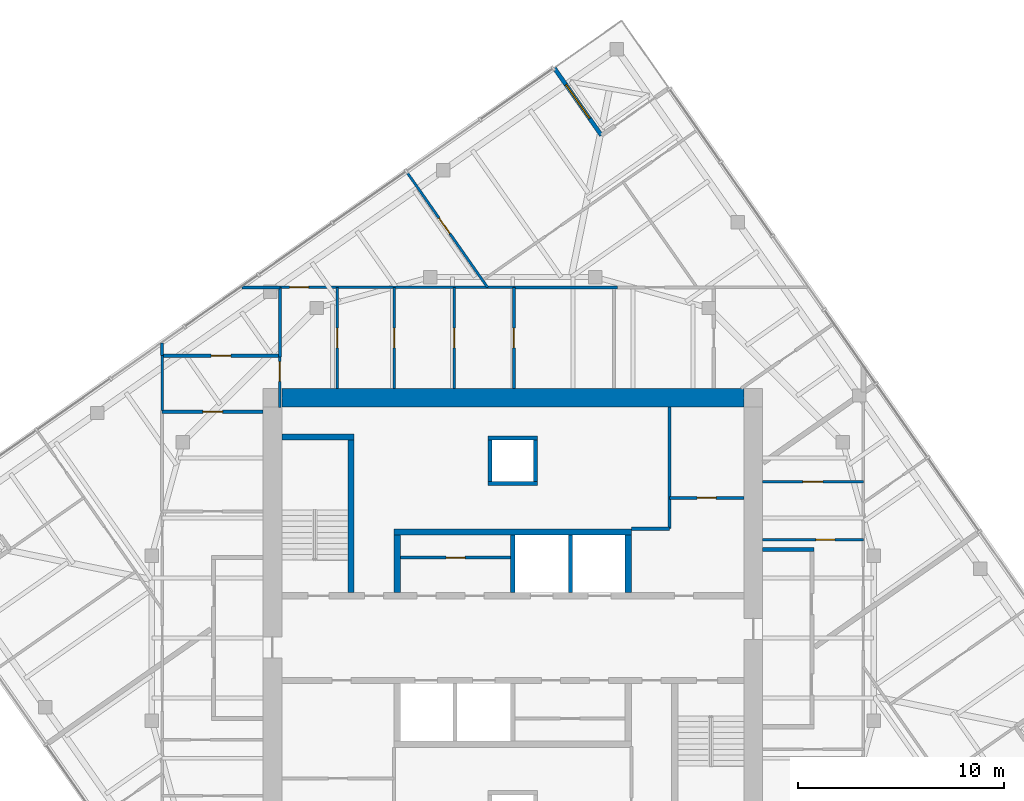
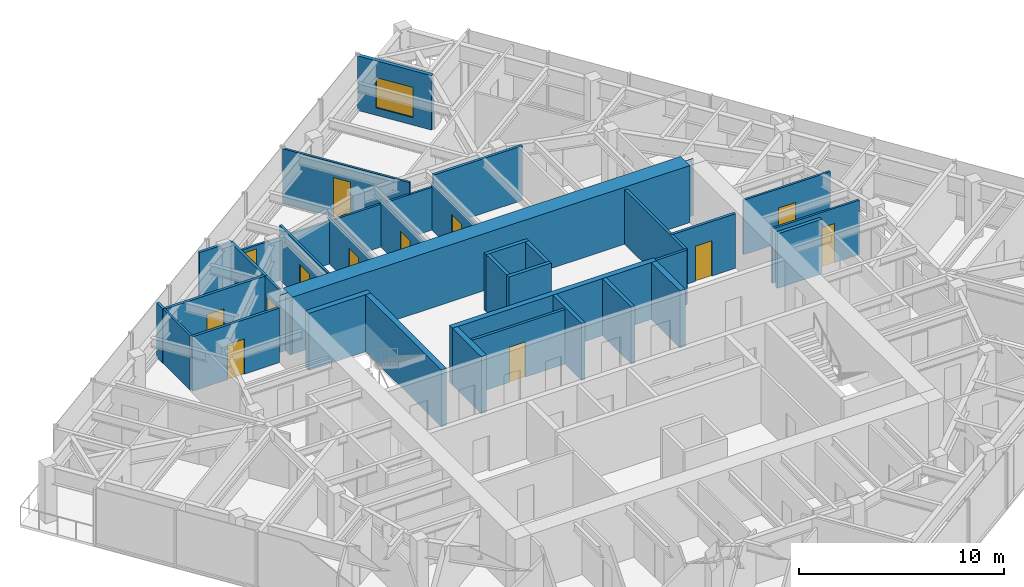
# One storey, part 10 of 12: 34 walls, 13 doors, 1 window, 14 openings.
"""IFC4 building model written with IfcOpenShell, lengths in metres."""

from ifc_helpers import new_model, si_unit, direction, frame, frame_2d, origin, place, context, subcontext, project, spatial, polyline, rectangle, outline, extrude, material, layer, layer_set, type_object, element, fill, save


model = new_model("IFC4")

# Units and contexts
model_context = context("Model", 3, precision=1e-05, world=origin(), true_north=direction((0.0, 1.0)))
body_context = subcontext(model_context, "Body", "Model", "MODEL_VIEW")
ifc_project = project(units=[si_unit("LENGTHUNIT", "METRE"), si_unit("AREAUNIT", "SQUARE_METRE"), si_unit("VOLUMEUNIT", "CUBIC_METRE"), si_unit("PLANEANGLEUNIT", "RADIAN"), si_unit("MASSUNIT", "GRAM", prefix="KILO")], contexts=[model_context])

# Site, building, storey
site_placement = place(None, origin())
site = spatial("IfcSite", under=ifc_project, at=site_placement, CompositionType="ELEMENT")
building_placement = place(site_placement, origin())
building = spatial("IfcBuilding", under=site, at=building_placement, Name="Torsade Residences", CompositionType="ELEMENT")
storey_placement = place(building_placement, frame((0.0, 0.0, 240.39990234375)))
storey = spatial("IfcBuildingStorey", under=building, at=storey_placement, Name="L66", CompositionType="ELEMENT", Elevation=240.39990234375)

# Walls
ifc_material_1 = material(Name="Concrete 80 MPa", Category="concrete")
ifc_layer_1 = layer(ifc_material_1, 0.300048828125)
ifc_layer_set_1 = layer_set([ifc_layer_1], Name="Concrete 80 MPa")
wall_type_1 = type_object("IfcWallType", Name="CORE INTERNAL WALL 300", PredefinedType="SHEAR", material=ifc_layer_set_1)
wall_1_placement = place(storey_placement, frame((34.25, 35.14990234375, 0.0), z_axis=(0.0, 0.0, 1.0), x_axis=(1.0, 0.0, 0.0)))
element("IfcWall", 1, at=wall_1_placement, inside=storey, type_object=wall_type_1, Name="Core wall BN L66", PredefinedType="SHEAR", context=body_context, shape_type="SweptSolid", body=[
    extrude(rectangle(XDim=11.5, YDim=0.300048828125, at=frame_2d((5.75, 0.0))), origin(), (0.0, 0.0, 1.0), 3.400146484375),
])
for number, where, z_axis, x_axis, name in (
    (2, (34.39990234375, 32.199951171875, 0.0), (0.0, 0.0, 1.0), (0.0, 1.0, 0.0), "Core wall DN0 L66"),
    (3, (45.60009765625, 32.199951171875, 0.0), (0.0, 0.0, 1.0), (0.0, 1.0, 0.0), "Core wall DN4 L66"),
):
    element("IfcWall", number, at=place(storey_placement, frame(where, z_axis=z_axis, x_axis=x_axis)), inside=storey, type_object=wall_type_1, Name=name, PredefinedType="SHEAR", context=body_context, shape_type="SweptSolid", body=[
        extrude(rectangle(XDim=2.800048828125, YDim=0.300048828125, at=frame_2d((1.39990234375, 0.0))), origin(), (0.0, 0.0, 1.0), 3.400146484375),
    ])
wall_2_placement = place(storey_placement, frame((32.14990234375, 32.199951171875, 0.0), z_axis=(0.0, 0.0, 1.0), x_axis=(0.0, 1.0, 0.0)))
element("IfcWall", 4, at=wall_2_placement, inside=storey, type_object=wall_type_1, Name="Core wall ST1E L66", PredefinedType="SHEAR", context=body_context, shape_type="SweptSolid", body=[
    extrude(rectangle(XDim=7.699951171875, YDim=0.300048828125, at=frame_2d((3.85009765625, 0.0))), origin(), (0.0, 0.0, 1.0), 3.400146484375),
])
wall_3_placement = place(storey_placement, frame((28.800048828125, 39.75, 0.0), z_axis=(0.0, 0.0, 1.0), x_axis=(1.0, 0.0, 0.0)))
element("IfcWall", 5, at=wall_3_placement, inside=storey, type_object=wall_type_1, Name="Core wall ST1N L66", PredefinedType="SHEAR", context=body_context, shape_type="SweptSolid", body=[
    extrude(rectangle(XDim=3.5, YDim=0.300048828125, at=frame_2d((1.75, 0.0))), origin(), (0.0, 0.0, 1.0), 3.400146484375),
])
ifc_material_2 = material(Name="Concrete 80 MPa", Category="concrete")
ifc_layer_2 = layer(ifc_material_2, 0.89990234375)
ifc_layer_set_2 = layer_set([ifc_layer_2], Name="Concrete 80 MPa")
wall_type_2 = type_object("IfcWallType", Name="CORE WALL 900", PredefinedType="SHEAR", material=ifc_layer_set_2)
wall_4_placement = place(storey_placement, frame((28.800048828125, 41.64990234375, 0.0), z_axis=(0.0, 0.0, 1.0), x_axis=(1.0, 0.0, 0.0)))
element("IfcWall", 6, at=wall_4_placement, inside=storey, type_object=wall_type_2, Name="Core wall N L66", PredefinedType="SHEAR", context=body_context, shape_type="SweptSolid", body=[
    extrude(outline(polyline([(0.0, -0.449951171875), (22.39990234375, -0.449951171875), (22.39990234375, -0.02490234375), (22.849853515625, -0.02490234375), (22.849853515625, 0.02490234375), (22.39990234375, 0.02490234375), (22.39990234375, 0.449951171875), (0.0, 0.449951171875), (0.0, 0.02490234375), (-0.449951171875, 0.02490234375), (-0.449951171875, -0.02490234375), (0.0, -0.02490234375), (0.0, -0.449951171875)])), origin(), (0.0, 0.0, 1.0), 3.400146484375),
])
ifc_material_3 = material(Name="Plasterboard on steel stud", Category="steel")
ifc_layer_3 = layer(ifc_material_3, 0.199951171875)
ifc_layer_set_3 = layer_set([ifc_layer_3], Name="Plasterboard on steel stud")
wall_type_3 = type_object("IfcWallType", Name="CORRIDOR WALL 200", PredefinedType="PARTITIONING", material=ifc_layer_set_3)
wall_5_placement = place(storey_placement, frame((52.10009765625, 34.300048828125, 0.0), z_axis=(0.0, 0.0, 1.0), x_axis=(1.0, 0.0, 0.0)))
element("IfcWall", 7, at=wall_5_placement, inside=storey, type_object=wall_type_3, Name="Corridor wall L66", PredefinedType="PARTITIONING", context=body_context, shape_type="SweptSolid", body=[
    extrude(rectangle(XDim=2.5, YDim=0.199951171875, at=frame_2d((1.25, 0.0))), origin(), (0.0, 0.0, 1.0), 3.25),
])
ifc_material_4 = material(Name="Reinforced blockwork", Category="masonry")
ifc_layer_4 = layer(ifc_material_4, 0.199951171875)
ifc_layer_set_4 = layer_set([ifc_layer_4], Name="Reinforced blockwork")
wall_type_4 = type_object("IfcWallType", Name="LIFT SHAFT DIVIDING WALL 200", PredefinedType="SOLIDWALL", material=ifc_layer_set_4)
for number, where, z_axis, x_axis, name in (
    (8, (40.0, 32.199951171875, 0.0), (0.0, 0.0, 1.0), (0.0, 1.0, 0.0), "Core wall DN2 L66"),
    (9, (42.800048828125, 32.199951171875, 0.0), (0.0, 0.0, 1.0), (0.0, 1.0, 0.0), "Core wall DN3 L66"),
):
    element("IfcWall", number, at=place(storey_placement, frame(where, z_axis=z_axis, x_axis=x_axis)), inside=storey, type_object=wall_type_4, Name=name, PredefinedType="SOLIDWALL", context=body_context, shape_type="SweptSolid", body=[
        extrude(rectangle(XDim=2.800048828125, YDim=0.199951171875, at=frame_2d((1.39990234375, 0.0))), origin(), (0.0, 0.0, 1.0), 3.400146484375),
    ])

# Wall, opening, door
ifc_material_5 = material(Name="Plasterboard on steel stud", Category="steel")
ifc_layer_5 = layer(ifc_material_5, 0.1201171875)
ifc_layer_set_5 = layer_set([ifc_layer_5], Name="Plasterboard on steel stud")
wall_type_5 = type_object("IfcWallType", Name="PARTITION 120", PredefinedType="PARTITIONING", material=ifc_layer_set_5)
wall_6_placement = place(storey_placement, frame((52.10009765625, 34.76611328125, 0.0), z_axis=(0.0, 0.0, 1.0), x_axis=(1.0, 0.0, 0.0)))
wall_6 = element("IfcWall", 10, at=wall_6_placement, inside=storey, type_object=wall_type_5, Name="Partition L66", PredefinedType="PARTITIONING", context=body_context, shape_type="SweptSolid", body=[
    extrude(rectangle(XDim=4.89990234375, YDim=0.1201171875, at=frame_2d((2.449951171875, 0.0))), origin(), (0.0, 0.0, 1.0), 3.25),
])
opening_1_placement = place(wall_6_placement, frame((2.590087890625, 0.0, 0.0)))
opening_1 = element("IfcOpeningElement", 11, at=opening_1_placement, cuts=wall_6, Name="Opening D02", PredefinedType="OPENING", context=body_context, shape_type="SweptSolid", body=[
    extrude(rectangle(XDim=0.919921875, YDim=2.340087890625, at=frame_2d((0.4599609375, 1.169921875))), frame((0.0, 0.070068359375, 0.0), z_axis=(0.0, -1.0, 0.0), x_axis=(1.0, 0.0, 0.0)), (0.0, 0.0, 1.0), 0.14013671875),
])
ifc_material_6 = material(Name="Hollow-core timber door", Category="wood")
door_type_1 = type_object("IfcDoorType", Name="INTERNAL DOOR 920x2340", OperationType="NOTDEFINED", PredefinedType="DOOR", material=ifc_material_6)
door_1_placement = place(opening_1_placement, origin())
door_1 = element("IfcDoor", 12, at=door_1_placement, inside=storey, type_object=door_type_1, Name="Door Kitchen and dining to Dressing room", OperationType="SINGLE_SWING_RIGHT", OverallHeight=2.340087890625, OverallWidth=0.919921875, PredefinedType="DOOR", context=body_context, shape_type="SweptSolid", body=[
    extrude(rectangle(XDim=0.919921875, YDim=2.340087890625, at=frame_2d((0.4599609375, 1.169921875))), frame((0.0, 0.02490234375, 0.0), z_axis=(0.0, -1.0, 0.0), x_axis=(1.0, 0.0, 0.0)), (0.0, 0.0, 1.0), 0.050048828125),
])
fill(opening_1, door_1)

wall_7_placement = place(storey_placement, frame((57.0, 37.567626953125, 0.0), z_axis=(0.0, 0.0, 1.0), x_axis=(-1.0, 0.0, 0.0)))
wall_7 = element("IfcWall", 13, at=wall_7_placement, inside=storey, type_object=wall_type_5, Name="Partition L66", PredefinedType="PARTITIONING", context=body_context, shape_type="SweptSolid", body=[
    extrude(rectangle(XDim=4.89990234375, YDim=0.1201171875, at=frame_2d((2.449951171875, 0.0))), origin(), (0.0, 0.0, 1.0), 3.25),
])
opening_2_placement = place(wall_7_placement, frame((1.969970703125, 0.0, 0.0)))
opening_2 = element("IfcOpeningElement", 14, at=opening_2_placement, cuts=wall_7, Name="Opening D05", PredefinedType="OPENING", context=body_context, shape_type="SweptSolid", body=[
    extrude(rectangle(XDim=0.9599609375, YDim=2.10009765625, at=frame_2d((0.47998046875, 1.050048828125))), frame((0.0, 0.070068359375, 0.0), z_axis=(0.0, -1.0, 0.0), x_axis=(1.0, 0.0, 0.0)), (0.0, 0.0, 1.0), 0.14013671875),
])
ifc_material_7 = material(Name="Hollow-core timber door in a steel cavity frame", Category="steel")
door_type_2 = type_object("IfcDoorType", Name="BATHROOM CAVITY SLIDING DOOR 960", OperationType="SLIDING_TO_LEFT", PredefinedType="DOOR", material=ifc_material_7)
door_2_placement = place(opening_2_placement, origin())
door_2 = element("IfcDoor", 15, at=door_2_placement, inside=storey, type_object=door_type_2, Name="Door Dressing room to Bathroom", OperationType="SLIDING_TO_LEFT", OverallHeight=2.10009765625, OverallWidth=0.9599609375, PredefinedType="DOOR", context=body_context, shape_type="SweptSolid", body=[
    extrude(rectangle(XDim=0.9599609375, YDim=2.10009765625, at=frame_2d((0.47998046875, 1.050048828125))), frame((0.0, 0.02490234375, 0.0), z_axis=(0.0, -1.0, 0.0), x_axis=(1.0, 0.0, 0.0)), (0.0, 0.0, 1.0), 0.050048828125),
])
fill(opening_2, door_2)

wall_8_placement = place(storey_placement, frame((31.482177734375, 42.10009765625, 0.0), z_axis=(0.0, 0.0, 1.0), x_axis=(0.0, 1.0, 0.0)))
wall_8 = element("IfcWall", 16, at=wall_8_placement, inside=storey, type_object=wall_type_5, Name="Partition L66", PredefinedType="PARTITIONING", context=body_context, shape_type="SweptSolid", body=[
    extrude(rectangle(XDim=4.89990234375, YDim=0.1201171875, at=frame_2d((2.449951171875, 0.0))), origin(), (0.0, 0.0, 1.0), 3.25),
])
opening_3_placement = place(wall_8_placement, frame((1.969970703125, 0.0, 0.0)))
opening_3 = element("IfcOpeningElement", 17, at=opening_3_placement, cuts=wall_8, Name="Opening D05", PredefinedType="OPENING", context=body_context, shape_type="SweptSolid", body=[
    extrude(rectangle(XDim=0.9599609375, YDim=2.10009765625, at=frame_2d((0.47998046875, 1.050048828125))), frame((0.0, 0.070068359375, 0.0), z_axis=(0.0, -1.0, 0.0), x_axis=(1.0, 0.0, 0.0)), (0.0, 0.0, 1.0), 0.14013671875),
])
door_3_placement = place(opening_3_placement, origin())
door_3 = element("IfcDoor", 18, at=door_3_placement, inside=storey, type_object=door_type_2, Name="Door Dressing room to Bathroom", OperationType="SLIDING_TO_LEFT", OverallHeight=2.10009765625, OverallWidth=0.9599609375, PredefinedType="DOOR", context=body_context, shape_type="SweptSolid", body=[
    extrude(rectangle(XDim=0.9599609375, YDim=2.10009765625, at=frame_2d((0.47998046875, 1.050048828125))), frame((0.0, 0.02490234375, 0.0), z_axis=(0.0, -1.0, 0.0), x_axis=(1.0, 0.0, 0.0)), (0.0, 0.0, 1.0), 0.050048828125),
])
fill(opening_3, door_3)

wall_9_placement = place(storey_placement, frame((34.256103515625, 47.0, 0.0), z_axis=(0.0, 0.0, 1.0), x_axis=(0.0, -1.0, 0.0)))
wall_9 = element("IfcWall", 19, at=wall_9_placement, inside=storey, type_object=wall_type_5, Name="Partition L66", PredefinedType="PARTITIONING", context=body_context, shape_type="SweptSolid", body=[
    extrude(rectangle(XDim=4.89990234375, YDim=0.1201171875, at=frame_2d((2.449951171875, 0.0))), origin(), (0.0, 0.0, 1.0), 2.796142578125),
])
opening_4_placement = place(wall_9_placement, frame((1.969970703125, 0.0, 0.0)))
opening_4 = element("IfcOpeningElement", 20, at=opening_4_placement, cuts=wall_9, Name="Opening D05", PredefinedType="OPENING", context=body_context, shape_type="SweptSolid", body=[
    extrude(rectangle(XDim=0.9599609375, YDim=2.10009765625, at=frame_2d((0.47998046875, 1.050048828125))), frame((0.0, 0.070068359375, 0.0), z_axis=(0.0, -1.0, 0.0), x_axis=(1.0, 0.0, 0.0)), (0.0, 0.0, 1.0), 0.14013671875),
])
door_4_placement = place(opening_4_placement, origin())
door_4 = element("IfcDoor", 21, at=door_4_placement, inside=storey, type_object=door_type_2, Name="Door Bathroom to Dressing room 2", OperationType="SLIDING_TO_LEFT", OverallHeight=2.10009765625, OverallWidth=0.9599609375, PredefinedType="DOOR", context=body_context, shape_type="SweptSolid", body=[
    extrude(rectangle(XDim=0.9599609375, YDim=2.10009765625, at=frame_2d((0.47998046875, 1.050048828125))), frame((0.0, 0.02490234375, 0.0), z_axis=(0.0, -1.0, 0.0), x_axis=(1.0, 0.0, 0.0)), (0.0, 0.0, 1.0), 0.050048828125),
])
fill(opening_4, door_4)

wall_10_placement = place(storey_placement, frame((28.708251953125, 47.0, 0.0), z_axis=(0.0, 0.0, 1.0), x_axis=(1.0, 0.0, 0.0)))
wall_10 = element("IfcWall", 22, at=wall_10_placement, inside=storey, type_object=wall_type_5, Name="Partition L66", PredefinedType="PARTITIONING", context=body_context, shape_type="SweptSolid", body=[
    extrude(rectangle(XDim=11.345947265625, YDim=0.1201171875, at=frame_2d((5.6728515625, 0.0))), origin(), (0.0, 0.0, 1.0), 2.550048828125),
])
opening_5_placement = place(wall_10_placement, frame((0.47705078125, 0.0, 0.0)))
opening_5 = element("IfcOpeningElement", 23, at=opening_5_placement, cuts=wall_10, Name="Opening D02", PredefinedType="OPENING", context=body_context, shape_type="SweptSolid", body=[
    extrude(rectangle(XDim=0.919921875, YDim=2.340087890625, at=frame_2d((0.4599609375, 1.169921875))), frame((0.0, 0.070068359375, 0.0), z_axis=(0.0, -1.0, 0.0), x_axis=(1.0, 0.0, 0.0)), (0.0, 0.0, 1.0), 0.14013671875),
])
door_5_placement = place(opening_5_placement, origin())
door_5 = element("IfcDoor", 24, at=door_5_placement, inside=storey, type_object=door_type_1, Name="Door Dressing room to Study 2", OperationType="SINGLE_SWING_LEFT", OverallHeight=2.340087890625, OverallWidth=0.919921875, PredefinedType="DOOR", context=body_context, shape_type="SweptSolid", body=[
    extrude(rectangle(XDim=0.919921875, YDim=2.340087890625, at=frame_2d((0.4599609375, 1.169921875))), frame((0.0, 0.02490234375, 0.0), z_axis=(0.0, -1.0, 0.0), x_axis=(1.0, 0.0, 0.0)), (0.0, 0.0, 1.0), 0.050048828125),
])
fill(opening_5, door_5)

wall_11_placement = place(storey_placement, frame((28.708251953125, 41.179931640625, 0.0), z_axis=(0.0, 0.0, 1.0), x_axis=(0.0, 1.0, 0.0)))
wall_11 = element("IfcWall", 25, at=wall_11_placement, inside=storey, type_object=wall_type_5, Name="Partition L66", PredefinedType="PARTITIONING", context=body_context, shape_type="SweptSolid", body=[
    extrude(rectangle(XDim=2.45849609375, YDim=0.1201171875, at=frame_2d((1.229248046875, 0.0))), origin(), (0.0, 0.0, 1.0), 3.25),
])
opening_6_placement = place(wall_11_placement, frame((1.25927734375, 0.0, 0.0)))
opening_6 = element("IfcOpeningElement", 26, at=opening_6_placement, cuts=wall_11, Name="Opening D05", PredefinedType="OPENING", context=body_context, shape_type="SweptSolid", body=[
    extrude(rectangle(XDim=0.9599609375, YDim=2.10009765625, at=frame_2d((0.47998046875, 1.050048828125))), frame((0.0, 0.070068359375, 0.0), z_axis=(0.0, -1.0, 0.0), x_axis=(1.0, 0.0, 0.0)), (0.0, 0.0, 1.0), 0.14013671875),
])
door_6_placement = place(opening_6_placement, origin())
door_6 = element("IfcDoor", 27, at=door_6_placement, inside=storey, type_object=door_type_2, Name="Door WC to Dressing room", OperationType="SLIDING_TO_LEFT", OverallHeight=2.10009765625, OverallWidth=0.9599609375, PredefinedType="DOOR", context=body_context, shape_type="SweptSolid", body=[
    extrude(rectangle(XDim=0.9599609375, YDim=2.10009765625, at=frame_2d((0.47998046875, 1.050048828125))), frame((0.0, 0.02490234375, 0.0), z_axis=(0.0, -1.0, 0.0), x_axis=(1.0, 0.0, 0.0)), (0.0, 0.0, 1.0), 0.050048828125),
])
fill(opening_6, door_6)

# Wall
wall_12_placement = place(storey_placement, frame((23.0, 41.02392578125, 0.0), z_axis=(0.0, 0.0, 1.0), x_axis=(0.0, 1.0, 0.0)))
element("IfcWall", 28, at=wall_12_placement, inside=storey, type_object=wall_type_5, Name="Partition L66", PredefinedType="PARTITIONING", context=body_context, shape_type="SweptSolid", body=[
    extrude(rectangle(XDim=2.66455078125, YDim=0.1201171875, at=frame_2d((1.332275390625, 0.0))), origin(), (0.0, 0.0, 1.0), 3.25),
])

# Wall, opening, door
wall_13_placement = place(storey_placement, frame((37.155029296875, 42.10009765625, 0.0), z_axis=(0.0, 0.0, 1.0), x_axis=(0.0, 1.0, 0.0)))
wall_13 = element("IfcWall", 29, at=wall_13_placement, inside=storey, type_object=wall_type_5, Name="Partition L66", PredefinedType="PARTITIONING", context=body_context, shape_type="SweptSolid", body=[
    extrude(rectangle(XDim=4.89990234375, YDim=0.1201171875, at=frame_2d((2.449951171875, 0.0))), origin(), (0.0, 0.0, 1.0), 2.796142578125),
])
opening_7_placement = place(wall_13_placement, frame((1.969970703125, 0.0, 0.0)))
opening_7 = element("IfcOpeningElement", 30, at=opening_7_placement, cuts=wall_13, Name="Opening D05", PredefinedType="OPENING", context=body_context, shape_type="SweptSolid", body=[
    extrude(rectangle(XDim=0.9599609375, YDim=2.10009765625, at=frame_2d((0.47998046875, 1.050048828125))), frame((0.0, 0.070068359375, 0.0), z_axis=(0.0, -1.0, 0.0), x_axis=(1.0, 0.0, 0.0)), (0.0, 0.0, 1.0), 0.14013671875),
])
door_7_placement = place(opening_7_placement, origin())
door_7 = element("IfcDoor", 31, at=door_7_placement, inside=storey, type_object=door_type_2, Name="Door Dressing room 2 to Ensuite", OperationType="SLIDING_TO_LEFT", OverallHeight=2.10009765625, OverallWidth=0.9599609375, PredefinedType="DOOR", context=body_context, shape_type="SweptSolid", body=[
    extrude(rectangle(XDim=0.9599609375, YDim=2.10009765625, at=frame_2d((0.47998046875, 1.050048828125))), frame((0.0, 0.02490234375, 0.0), z_axis=(0.0, -1.0, 0.0), x_axis=(1.0, 0.0, 0.0)), (0.0, 0.0, 1.0), 0.050048828125),
])
fill(opening_7, door_7)

wall_14_placement = place(storey_placement, frame((38.7783203125, 47.0, 0.0), z_axis=(0.0, 0.0, 1.0), x_axis=(-0.57357503053, 0.819153028653, 0.0)))
wall_14 = element("IfcWall", 32, at=wall_14_placement, inside=storey, type_object=wall_type_5, Name="Partition L66", PredefinedType="PARTITIONING", context=body_context, shape_type="SweptSolid", body=[
    extrude(rectangle(XDim=6.833740234375, YDim=0.1201171875, at=frame_2d((3.4169921875, 0.0))), origin(), (0.0, 0.0, 1.0), 3.25),
])
opening_8_placement = place(wall_14_placement, frame((3.186279296875, 0.0, 0.0)))
opening_8 = element("IfcOpeningElement", 33, at=opening_8_placement, cuts=wall_14, Name="Opening D02", PredefinedType="OPENING", context=body_context, shape_type="SweptSolid", body=[
    extrude(rectangle(XDim=0.919921875, YDim=2.340087890625, at=frame_2d((0.4599609375, 1.169921875))), frame((0.0, 0.070068359375, 0.0), z_axis=(0.0, -1.0, 0.0), x_axis=(1.0, 0.0, 0.0)), (0.0, 0.0, 1.0), 0.14013671875),
])
door_8_placement = place(opening_8_placement, origin())
door_8 = element("IfcDoor", 34, at=door_8_placement, inside=storey, type_object=door_type_1, Name="Door Study 2 to Living room", OperationType="SINGLE_SWING_LEFT", OverallHeight=2.340087890625, OverallWidth=0.919921875, PredefinedType="DOOR", context=body_context, shape_type="SweptSolid", body=[
    extrude(rectangle(XDim=0.919921875, YDim=2.340087890625, at=frame_2d((0.4599609375, 1.169921875))), frame((0.0, 0.02490234375, 0.0), z_axis=(0.0, -1.0, 0.0), x_axis=(1.0, 0.0, 0.0)), (0.0, 0.0, 1.0), 0.050048828125),
])
fill(opening_8, door_8)

# Walls
ifc_material_8 = material(Name="Reinforced blockwork", Category="masonry")
ifc_layer_6 = layer(ifc_material_8, 0.199951171875)
ifc_layer_set_6 = layer_set([ifc_layer_6], Name="Reinforced blockwork")
wall_type_6 = type_object("IfcWallType", Name="RISER SHAFT WALL 200", PredefinedType="SOLIDWALL", material=ifc_layer_set_6)
for number, where, z_axis, x_axis, name in (
    (35, (38.89990234375, 37.60009765625, 0.0), (0.0, 0.0, 1.0), (0.0, 1.0, 0.0), "Core wall RS1a L66"),
    (36, (41.10009765625, 37.60009765625, 0.0), (0.0, 0.0, 1.0), (0.0, 1.0, 0.0), "Core wall RS1b L66"),
):
    element("IfcWall", number, at=place(storey_placement, frame(where, z_axis=z_axis, x_axis=x_axis)), inside=storey, type_object=wall_type_6, Name=name, PredefinedType="SOLIDWALL", context=body_context, shape_type="SweptSolid", body=[
        extrude(rectangle(XDim=2.0, YDim=0.199951171875, at=frame_2d((1.0, 0.0))), origin(), (0.0, 0.0, 1.0), 3.400146484375),
    ])
for number, where, z_axis, x_axis, name in (
    (37, (38.800048828125, 37.5, 0.0), (0.0, 0.0, 1.0), (1.0, 0.0, 0.0), "Core wall RS1c L66"),
    (38, (38.800048828125, 39.699951171875, 0.0), (0.0, 0.0, 1.0), (1.0, 0.0, 0.0), "Core wall RS1d L66"),
):
    element("IfcWall", number, at=place(storey_placement, frame(where, z_axis=z_axis, x_axis=x_axis)), inside=storey, type_object=wall_type_6, Name=name, PredefinedType="SOLIDWALL", context=body_context, shape_type="SweptSolid", body=[
        extrude(rectangle(XDim=2.39990234375, YDim=0.199951171875, at=frame_2d((1.199951171875, 0.0))), origin(), (0.0, 0.0, 1.0), 3.400146484375),
    ])
ifc_material_9 = material(Name="Reinforced blockwork", Category="masonry")
ifc_layer_7 = layer(ifc_material_9, 0.14990234375)
ifc_layer_set_7 = layer_set([ifc_layer_7], Name="Reinforced blockwork")
wall_type_7 = type_object("IfcWallType", Name="SERVICE ROOM WALL 150", PredefinedType="SOLIDWALL", material=ifc_layer_set_7)
wall_15_placement = place(storey_placement, frame((47.60009765625, 41.199951171875, 0.0), z_axis=(0.0, 0.0, 1.0), x_axis=(0.0, -1.0, 0.0)))
element("IfcWall", 39, at=wall_15_placement, inside=storey, type_object=wall_type_7, Name="Service room wall L66", PredefinedType="SOLIDWALL", context=body_context, shape_type="SweptSolid", body=[
    extrude(rectangle(XDim=5.89990234375, YDim=0.14990234375, at=frame_2d((2.949951171875, 0.0))), origin(), (0.0, 0.0, 1.0), 3.25),
])
wall_16_placement = place(storey_placement, frame((47.60009765625, 35.300048828125, 0.0), z_axis=(0.0, 0.0, 1.0), x_axis=(-1.0, 0.0, 0.0)))
element("IfcWall", 40, at=wall_16_placement, inside=storey, type_object=wall_type_7, Name="Service room wall L66", PredefinedType="SOLIDWALL", context=body_context, shape_type="SweptSolid", body=[
    extrude(rectangle(XDim=1.85009765625, YDim=0.14990234375, at=frame_2d((0.925048828125, 0.0))), origin(), (0.0, 0.0, 1.0), 3.25),
])

# Wall, opening, door
wall_17_placement = place(storey_placement, frame((47.60009765625, 36.800048828125, 0.0), z_axis=(0.0, 0.0, 1.0), x_axis=(1.0, 0.0, 0.0)))
wall_17 = element("IfcWall", 41, at=wall_17_placement, inside=storey, type_object=wall_type_7, Name="Service room wall L66", PredefinedType="SOLIDWALL", context=body_context, shape_type="SweptSolid", body=[
    extrude(rectangle(XDim=3.599853515625, YDim=0.14990234375, at=frame_2d((1.7998046875, 0.0))), origin(), (0.0, 0.0, 1.0), 3.25),
])
opening_9_placement = place(wall_17_placement, frame((1.340087890625, 0.0, 0.0)))
opening_9 = element("IfcOpeningElement", 42, at=opening_9_placement, cuts=wall_17, Name="Opening D06", PredefinedType="OPENING", context=body_context, shape_type="SweptSolid", body=[
    extrude(rectangle(XDim=0.919921875, YDim=2.10009765625, at=frame_2d((0.4599609375, 1.050048828125))), frame((0.0, 0.0849609375, 0.0), z_axis=(0.0, -1.0, 0.0), x_axis=(1.0, 0.0, 0.0)), (0.0, 0.0, 1.0), 0.169921875),
])
ifc_material_10 = material(Name="Steel-framed fire door", Category="steel")
door_type_3 = type_object("IfcDoorType", Name="FIRE DOOR 920", OperationType="NOTDEFINED", PredefinedType="DOOR", material=ifc_material_10)
door_9_placement = place(opening_9_placement, origin())
door_9 = element("IfcDoor", 43, at=door_9_placement, inside=storey, type_object=door_type_3, Name="Door Refuse room to Recycling room", OperationType="SINGLE_SWING_LEFT", OverallHeight=2.10009765625, OverallWidth=0.919921875, PredefinedType="DOOR", context=body_context, shape_type="SweptSolid", body=[
    extrude(rectangle(XDim=0.919921875, YDim=2.10009765625, at=frame_2d((0.4599609375, 1.050048828125))), frame((0.0, 0.02490234375, 0.0), z_axis=(0.0, -1.0, 0.0), x_axis=(1.0, 0.0, 0.0)), (0.0, 0.0, 1.0), 0.050048828125),
])
fill(opening_9, door_9)

# Wall
wall_18_placement = place(storey_placement, frame((28.708251953125, 43.638427734375, 0.0), z_axis=(0.0, 0.0, 1.0), x_axis=(0.0, 1.0, 0.0)))
element("IfcWall", 44, at=wall_18_placement, inside=storey, type_object=wall_type_7, Name="Service room wall L66", PredefinedType="SOLIDWALL", context=body_context, shape_type="SweptSolid", body=[
    extrude(rectangle(XDim=3.361572265625, YDim=0.14990234375, at=frame_2d((1.6806640625, 0.0))), origin(), (0.0, 0.0, 1.0), 3.25),
])

# Wall, opening, door
wall_19_placement = place(storey_placement, frame((23.0, 43.6884765625, 0.0), z_axis=(0.0, 0.0, 1.0), x_axis=(1.0, 0.0, 0.0)))
wall_19 = element("IfcWall", 45, at=wall_19_placement, inside=storey, type_object=wall_type_7, Name="Service room wall L66", PredefinedType="SOLIDWALL", context=body_context, shape_type="SweptSolid", body=[
    extrude(rectangle(XDim=5.708251953125, YDim=0.14990234375, at=frame_2d((2.85400390625, 0.0))), origin(), (0.0, 0.0, 1.0), 3.25),
])
opening_10_placement = place(wall_19_placement, frame((2.3740234375, 0.0, 0.0)))
opening_10 = element("IfcOpeningElement", 46, at=opening_10_placement, cuts=wall_19, Name="Opening D05", PredefinedType="OPENING", context=body_context, shape_type="SweptSolid", body=[
    extrude(rectangle(XDim=0.9599609375, YDim=2.10009765625, at=frame_2d((0.47998046875, 1.050048828125))), frame((0.0, 0.0849609375, 0.0), z_axis=(0.0, -1.0, 0.0), x_axis=(1.0, 0.0, 0.0)), (0.0, 0.0, 1.0), 0.169921875),
])
door_10_placement = place(opening_10_placement, origin())
door_10 = element("IfcDoor", 47, at=door_10_placement, inside=storey, type_object=door_type_2, Name="Door WC to Linen store", OperationType="SLIDING_TO_LEFT", OverallHeight=2.10009765625, OverallWidth=0.9599609375, PredefinedType="DOOR", context=body_context, shape_type="SweptSolid", body=[
    extrude(rectangle(XDim=0.9599609375, YDim=2.10009765625, at=frame_2d((0.47998046875, 1.050048828125))), frame((0.0, 0.02490234375, 0.0), z_axis=(0.0, -1.0, 0.0), x_axis=(1.0, 0.0, 0.0)), (0.0, 0.0, 1.0), 0.050048828125),
])
fill(opening_10, door_10)

wall_20_placement = place(storey_placement, frame((27.89990234375, 40.97412109375, 0.0), z_axis=(0.0, 0.0, 1.0), x_axis=(-1.0, 0.0, 0.0)))
wall_20 = element("IfcWall", 48, at=wall_20_placement, inside=storey, type_object=wall_type_7, Name="Service room wall L66", PredefinedType="SOLIDWALL", context=body_context, shape_type="SweptSolid", body=[
    extrude(rectangle(XDim=4.89990234375, YDim=0.14990234375, at=frame_2d((2.449951171875, 0.0))), origin(), (0.0, 0.0, 1.0), 3.25),
])
opening_11_placement = place(wall_20_placement, frame((1.969970703125, 0.0, 0.0)))
opening_11 = element("IfcOpeningElement", 49, at=opening_11_placement, cuts=wall_20, Name="Opening D05", PredefinedType="OPENING", context=body_context, shape_type="SweptSolid", body=[
    extrude(rectangle(XDim=0.9599609375, YDim=2.10009765625, at=frame_2d((0.47998046875, 1.050048828125))), frame((0.0, 0.0849609375, 0.0), z_axis=(0.0, -1.0, 0.0), x_axis=(1.0, 0.0, 0.0)), (0.0, 0.0, 1.0), 0.169921875),
])
door_11_placement = place(opening_11_placement, origin())
door_11 = element("IfcDoor", 50, at=door_11_placement, inside=storey, type_object=door_type_2, Name="Door Linen store 4 to WC", OperationType="SLIDING_TO_LEFT", OverallHeight=2.10009765625, OverallWidth=0.9599609375, PredefinedType="DOOR", context=body_context, shape_type="SweptSolid", body=[
    extrude(rectangle(XDim=0.9599609375, YDim=2.10009765625, at=frame_2d((0.47998046875, 1.050048828125))), frame((0.0, 0.02490234375, 0.0), z_axis=(0.0, -1.0, 0.0), x_axis=(1.0, 0.0, 0.0)), (0.0, 0.0, 1.0), 0.050048828125),
])
fill(opening_11, door_11)

# Walls
wall_21_placement = place(storey_placement, frame((23.0, 43.6884765625, 0.0), z_axis=(0.0, 0.0, 1.0), x_axis=(0.0, 1.0, 0.0)))
element("IfcWall", 51, at=wall_21_placement, inside=storey, type_object=wall_type_7, Name="Service room wall L66", PredefinedType="SOLIDWALL", context=body_context, shape_type="SweptSolid", body=[
    extrude(rectangle(XDim=0.605712890625, YDim=0.14990234375, at=frame_2d((0.302734375, 0.0))), origin(), (0.0, 0.0, 1.0), 3.25),
])
wall_22_placement = place(storey_placement, frame((26.8642578125, 47.0, 0.0), z_axis=(0.0, 0.0, 1.0), x_axis=(1.0, 0.0, 0.0)))
element("IfcWall", 52, at=wall_22_placement, inside=storey, type_object=wall_type_7, Name="Service room wall L66", PredefinedType="SOLIDWALL", context=body_context, shape_type="SweptSolid", body=[
    extrude(rectangle(XDim=1.843994140625, YDim=0.14990234375, at=frame_2d((0.921875, 0.0))), origin(), (0.0, 0.0, 1.0), 3.25),
])

# Wall, opening, door
wall_23_placement = place(storey_placement, frame((40.05419921875, 47.0, 0.0), z_axis=(0.0, 0.0, 1.0), x_axis=(0.0, -1.0, 0.0)))
wall_23 = element("IfcWall", 53, at=wall_23_placement, inside=storey, type_object=wall_type_7, Name="Service room wall L66", PredefinedType="SOLIDWALL", context=body_context, shape_type="SweptSolid", body=[
    extrude(rectangle(XDim=4.89990234375, YDim=0.14990234375, at=frame_2d((2.449951171875, 0.0))), origin(), (0.0, 0.0, 1.0), 2.796142578125),
])
opening_12_placement = place(wall_23_placement, frame((1.969970703125, 0.0, 0.0)))
opening_12 = element("IfcOpeningElement", 54, at=opening_12_placement, cuts=wall_23, Name="Opening D05", PredefinedType="OPENING", context=body_context, shape_type="SweptSolid", body=[
    extrude(rectangle(XDim=0.9599609375, YDim=2.10009765625, at=frame_2d((0.47998046875, 1.050048828125))), frame((0.0, 0.0849609375, 0.0), z_axis=(0.0, -1.0, 0.0), x_axis=(1.0, 0.0, 0.0)), (0.0, 0.0, 1.0), 0.169921875),
])
door_12_placement = place(opening_12_placement, origin())
door_12 = element("IfcDoor", 55, at=door_12_placement, inside=storey, type_object=door_type_2, Name="Door Ensuite to Linen store 2", OperationType="SLIDING_TO_LEFT", OverallHeight=2.10009765625, OverallWidth=0.9599609375, PredefinedType="DOOR", context=body_context, shape_type="SweptSolid", body=[
    extrude(rectangle(XDim=0.9599609375, YDim=2.10009765625, at=frame_2d((0.47998046875, 1.050048828125))), frame((0.0, 0.02490234375, 0.0), z_axis=(0.0, -1.0, 0.0), x_axis=(1.0, 0.0, 0.0)), (0.0, 0.0, 1.0), 0.050048828125),
])
fill(opening_12, door_12)

# Wall
wall_24_placement = place(storey_placement, frame((40.05419921875, 47.0, 0.0), z_axis=(0.0, 0.0, 1.0), x_axis=(1.0, 0.0, 0.0)))
element("IfcWall", 56, at=wall_24_placement, inside=storey, type_object=wall_type_7, Name="Service room wall L66", PredefinedType="SOLIDWALL", context=body_context, shape_type="SweptSolid", body=[
    extrude(rectangle(XDim=5.029052734375, YDim=0.14990234375, at=frame_2d((2.5146484375, 0.0))), origin(), (0.0, 0.0, 1.0), 3.25),
])

# Wall, opening, door
wall_25_placement = place(storey_placement, frame((34.550048828125, 33.89990234375, 0.0), z_axis=(0.0, 0.0, 1.0), x_axis=(1.0, 0.0, 0.0)))
wall_25 = element("IfcWall", 57, at=wall_25_placement, inside=storey, type_object=wall_type_7, Name="Service room wall L66", PredefinedType="SOLIDWALL", context=body_context, shape_type="SweptSolid", body=[
    extrude(rectangle(XDim=5.349853515625, YDim=0.14990234375, at=frame_2d((2.6748046875, 0.0))), origin(), (0.0, 0.0, 1.0), 3.25),
])
opening_13_placement = place(wall_25_placement, frame((2.215087890625, 0.0, 0.0)))
opening_13 = element("IfcOpeningElement", 58, at=opening_13_placement, cuts=wall_25, Name="Opening D06", PredefinedType="OPENING", context=body_context, shape_type="SweptSolid", body=[
    extrude(rectangle(XDim=0.919921875, YDim=2.10009765625, at=frame_2d((0.4599609375, 1.050048828125))), frame((0.0, 0.0849609375, 0.0), z_axis=(0.0, -1.0, 0.0), x_axis=(1.0, 0.0, 0.0)), (0.0, 0.0, 1.0), 0.169921875),
])
door_13_placement = place(opening_13_placement, origin())
door_13 = element("IfcDoor", 59, at=door_13_placement, inside=storey, type_object=door_type_3, Name="Door IT equipment room L66A to Equipment store L66B", OperationType="SINGLE_SWING_RIGHT", OverallHeight=2.10009765625, OverallWidth=0.919921875, PredefinedType="DOOR", context=body_context, shape_type="SweptSolid", body=[
    extrude(rectangle(XDim=0.919921875, YDim=2.10009765625, at=frame_2d((0.4599609375, 1.050048828125))), frame((0.0, 0.02490234375, 0.0), z_axis=(0.0, -1.0, 0.0), x_axis=(1.0, 0.0, 0.0)), (0.0, 0.0, 1.0), 0.050048828125),
])
fill(opening_13, door_13)

# Wall, opening, window
ifc_material_11 = material(Name="Stone-faced precast concrete 40 MPa panel", Category="masonry")
ifc_layer_8 = layer(ifc_material_11, 0.199951171875)
ifc_layer_set_8 = layer_set([ifc_layer_8], Name="Stone-faced precast concrete 40 MPa panel")
wall_type_8 = type_object("IfcWallType", Name="TERRACE WALL 200", PredefinedType="SOLIDWALL", material=ifc_layer_set_8)
wall_26_placement = place(storey_placement, frame((44.297607421875, 54.372802734375, 0.0), z_axis=(0.0, 0.0, 1.0), x_axis=(-0.573597512525, 0.819137286189, 0.0)))
wall_26 = element("IfcWall", 60, at=wall_26_placement, inside=storey, type_object=wall_type_8, Name="Terrace wall L66 6", PredefinedType="SOLIDWALL", context=body_context, shape_type="SweptSolid", body=[
    extrude(rectangle(XDim=4.0, YDim=0.199951171875, at=frame_2d((2.0, 0.0))), origin(), (0.0, 0.0, 1.0), 3.25),
])
opening_14_placement = place(wall_26_placement, frame((1.0, 0.0, 0.449951171875)))
opening_14 = element("IfcOpeningElement", 61, at=opening_14_placement, cuts=wall_26, Name="Opening W1B", PredefinedType="OPENING", context=body_context, shape_type="SweptSolid", body=[
    extrude(rectangle(XDim=2.0, YDim=1.800048828125, at=frame_2d((1.0, 0.89990234375))), frame((0.0, 0.10986328125, 0.0), z_axis=(0.0, -1.0, 0.0), x_axis=(1.0, 0.0, 0.0)), (0.0, 0.0, 1.0), 0.219970703125),
])
ifc_material_12 = material(Name="Aluminium-framed glass window", Category="aluminium")
window_type = type_object("IfcWindowType", Name="TERRACE WINDOW 2000x1800", PartitioningType="SINGLE_PANEL", PredefinedType="WINDOW", material=ifc_material_12)
window_placement = place(opening_14_placement, origin())
window = element("IfcWindow", 62, at=window_placement, inside=storey, type_object=window_type, Name="Terrace window L66 6", OverallHeight=1.800048828125, OverallWidth=2.0, PartitioningType="SINGLE_PANEL", PredefinedType="WINDOW", context=body_context, shape_type="SweptSolid", body=[
    extrude(rectangle(XDim=2.0, YDim=1.800048828125, at=frame_2d((1.0, 0.89990234375))), frame((0.0, 0.030029296875, 0.0), z_axis=(0.0, -1.0, 0.0), x_axis=(1.0, 0.0, 0.0)), (0.0, 0.0, 1.0), 0.06005859375),
])
fill(opening_14, window)

save(model, "model.ifc")
